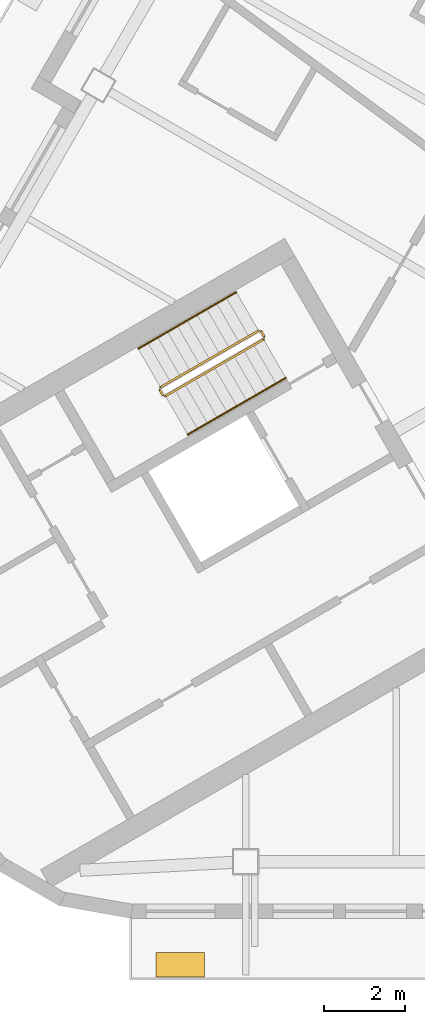
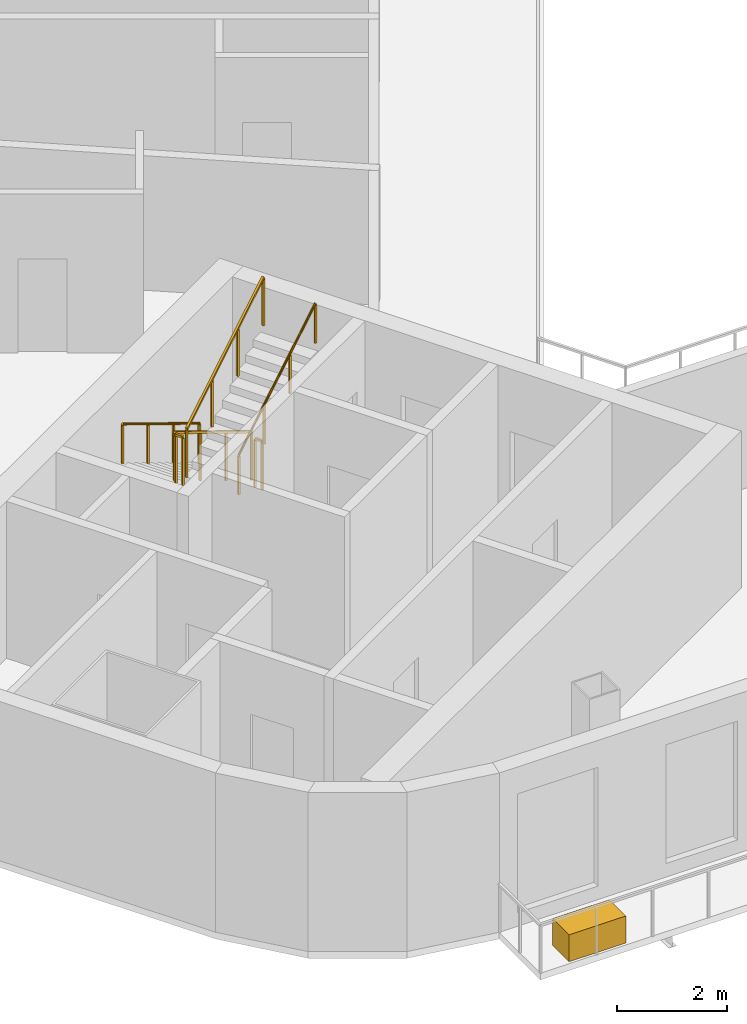
# One storey, part 9 of 13: 6 railings, 1 covering.
"""IFC4 building model written with IfcOpenShell, lengths in metres."""

from ifc_helpers import new_model, si_unit, direction, frame, origin, origin_2d, place, context, subcontext, project, spatial, rectangle, circle, extrude, material, type_object, element, save


model = new_model("IFC4")

# Units and contexts
model_context = context("Model", 3, precision=1e-05, world=origin(), true_north=direction((0.0, 1.0)))
body_context = subcontext(model_context, "Body", "Model", "MODEL_VIEW")
ifc_project = project(units=[si_unit("LENGTHUNIT", "METRE"), si_unit("AREAUNIT", "SQUARE_METRE"), si_unit("VOLUMEUNIT", "CUBIC_METRE"), si_unit("PLANEANGLEUNIT", "RADIAN"), si_unit("MASSUNIT", "GRAM", prefix="KILO")], contexts=[model_context])

# Site, building, storey
site_placement = place(None, origin())
site = spatial("IfcSite", under=ifc_project, at=site_placement, CompositionType="ELEMENT")
building_placement = place(site_placement, origin())
building = spatial("IfcBuilding", under=site, at=building_placement, Name="Apuvela Tower Hotel", CompositionType="ELEMENT")
storey_placement = place(building_placement, frame((0.0, 0.0, 272.60009765625)))
storey = spatial("IfcBuildingStorey", under=building, at=storey_placement, Name="L67", CompositionType="ELEMENT", Elevation=272.60009765625)

# Railings
ifc_material_1 = material(Name="Steel S275 balustrade", Category="steel")
railing_type_1 = type_object("IfcRailingType", Name="COR-GUARD-1100", PredefinedType="GUARDRAIL", material=ifc_material_1)
railing_1_placement = place(storey_placement, frame((-14.569091796875, -3.9658203125, 0.16796875)))
element("IfcRailing", 1, at=railing_1_placement, inside=storey, type_object=railing_type_1, Name="L67 ST2 stair guard 1", PredefinedType="GUARDRAIL", context=body_context, shape_type="SweptSolid", body=[
    extrude(rectangle(XDim=0.048095703125, YDim=0.048095703125, at=origin_2d()), frame((0.0, 0.0, 1.076171875), z_axis=(-0.742390482028, -0.42860119049, 0.514934356695), x_axis=(0.49998411664, -0.866034573852, 0.0)), (0.0, 0.0, 1.0), 3.26611328125),
    extrude(rectangle(XDim=0.0419921875, YDim=0.0419921875, at=origin_2d()), origin(), (0.0, 0.0, 1.0), 1.052001953125),
    extrude(rectangle(XDim=0.0419921875, YDim=0.0419921875, at=origin_2d()), frame((-0.808349609375, -0.466552734375, 0.560546875)), (0.0, 0.0, 1.0), 1.052001953125),
    extrude(rectangle(XDim=0.0419921875, YDim=0.0419921875, at=origin_2d()), frame((-1.616455078125, -0.933349609375, 1.121337890625)), (0.0, 0.0, 1.0), 1.052001953125),
    extrude(rectangle(XDim=0.0419921875, YDim=0.0419921875, at=origin_2d()), frame((-2.4248046875, -1.39990234375, 1.681884765625)), (0.0, 0.0, 1.0), 1.052001953125),
])
railing_2_placement = place(storey_placement, frame((-17.01220703125, -5.43408203125, 1.849853515625)))
element("IfcRailing", 2, at=railing_2_placement, inside=storey, type_object=railing_type_1, Name="L67 ST2 stair guard 2", PredefinedType="GUARDRAIL", context=body_context, shape_type="SweptSolid", body=[
    extrude(rectangle(XDim=0.048095703125, YDim=0.048095703125, at=origin_2d()), frame((0.0, 0.0, 1.076171875), z_axis=(0.499816412211, -0.866131372301, 0.0), x_axis=(0.866131372301, 0.499816412211, 0.0)), (0.0, 0.0, 1.0), 0.14990234375),
    extrude(rectangle(XDim=0.0419921875, YDim=0.0419921875, at=origin_2d()), origin(), (0.0, 0.0, 1.0), 1.052001953125),
    extrude(rectangle(XDim=0.0419921875, YDim=0.0419921875, at=origin_2d()), frame((0.074951171875, -0.1298828125, 0.0)), (0.0, 0.0, 1.0), 1.052001953125),
])
railing_3_placement = place(storey_placement, frame((-16.868896484375, -5.582275390625, 2.01806640625)))
element("IfcRailing", 3, at=railing_3_placement, inside=storey, type_object=railing_type_1, Name="L67 ST2 stair guard 3", PredefinedType="GUARDRAIL", context=body_context, shape_type="SweptSolid", body=[
    extrude(rectangle(XDim=0.048095703125, YDim=0.048095703125, at=origin_2d()), frame((0.0, 0.0, 1.076171875), z_axis=(0.742390482028, 0.42860119049, 0.514934356695), x_axis=(-0.49998411664, 0.866034573852, 0.0)), (0.0, 0.0, 1.0), 3.26611328125),
    extrude(rectangle(XDim=0.0419921875, YDim=0.0419921875, at=origin_2d()), origin(), (0.0, 0.0, 1.0), 1.052001953125),
    extrude(rectangle(XDim=0.0419921875, YDim=0.0419921875, at=origin_2d()), frame((0.808349609375, 0.466552734375, 0.560546875)), (0.0, 0.0, 1.0), 1.052001953125),
    extrude(rectangle(XDim=0.0419921875, YDim=0.0419921875, at=origin_2d()), frame((1.616455078125, 0.933349609375, 1.121337890625)), (0.0, 0.0, 1.0), 1.052001953125),
    extrude(rectangle(XDim=0.0419921875, YDim=0.0419921875, at=origin_2d()), frame((2.4248046875, 1.39990234375, 1.681884765625)), (0.0, 0.0, 1.0), 1.052001953125),
])
railing_4_placement = place(storey_placement, frame((-14.500732421875, -3.984130859375, 0.0)))
element("IfcRailing", 4, at=railing_4_placement, inside=storey, type_object=railing_type_1, Name="L67 ST2 stair guard 4", PredefinedType="GUARDRAIL", context=body_context, shape_type="SweptSolid", body=[
    extrude(rectangle(XDim=0.048095703125, YDim=0.048095703125, at=origin_2d()), frame((0.0, 0.0, 1.076171875), z_axis=(0.499816412211, -0.866131372301, 0.0), x_axis=(0.866131372301, 0.499816412211, 0.0)), (0.0, 0.0, 1.0), 0.14990234375),
    extrude(rectangle(XDim=0.0419921875, YDim=0.0419921875, at=origin_2d()), origin(), (0.0, 0.0, 1.0), 1.052001953125),
    extrude(rectangle(XDim=0.0419921875, YDim=0.0419921875, at=origin_2d()), frame((0.074951171875, -0.1298828125, 0.0)), (0.0, 0.0, 1.0), 1.052001953125),
])
ifc_material_2 = material(Name="Stainless steel 316 handrail", Category="steel")
railing_type_2 = type_object("IfcRailingType", Name="COR-HANDRAIL-900", PredefinedType="HANDRAIL", material=ifc_material_2)
railing_5_placement = place(storey_placement, frame((-15.118896484375, -3.01318359375, 0.16796875)))
element("IfcRailing", 5, at=railing_5_placement, inside=storey, type_object=railing_type_2, Name="L67 ST2 stair handrail 1", PredefinedType="HANDRAIL", context=body_context, shape_type="SweptSolid", body=[
    extrude(circle(Radius=0.02392578125, at=origin_2d()), frame((0.0, 0.0, 0.8759765625), z_axis=(-0.742424030051, -0.428577407461, 0.514905783049), x_axis=(0.49994636267, -0.866056369097, 0.0)), (0.0, 0.0, 1.0), 3.266357421875),
    extrude(rectangle(XDim=0.0419921875, YDim=0.0419921875, at=origin_2d()), origin(), (0.0, 0.0, 1.0), 0.851806640625),
    extrude(rectangle(XDim=0.0419921875, YDim=0.0419921875, at=origin_2d()), frame((-0.808349609375, -0.466552734375, 0.560546875)), (0.0, 0.0, 1.0), 0.851806640625),
    extrude(rectangle(XDim=0.0419921875, YDim=0.0419921875, at=origin_2d()), frame((-1.61669921875, -0.933349609375, 1.121337890625)), (0.0, 0.0, 1.0), 0.851806640625),
    extrude(rectangle(XDim=0.0419921875, YDim=0.0419921875, at=origin_2d()), frame((-2.425048828125, -1.39990234375, 1.681884765625)), (0.0, 0.0, 1.0), 0.851806640625),
])
railing_6_placement = place(storey_placement, frame((-16.31884765625, -6.534912109375, 2.01806640625)))
element("IfcRailing", 6, at=railing_6_placement, inside=storey, type_object=railing_type_2, Name="L67 ST2 stair handrail 2", PredefinedType="HANDRAIL", context=body_context, shape_type="SweptSolid", body=[
    extrude(circle(Radius=0.02392578125, at=origin_2d()), frame((0.0, 0.0, 0.8759765625), z_axis=(0.742390482028, 0.42860119049, 0.514934356695), x_axis=(-0.49998411664, 0.866034573852, 0.0)), (0.0, 0.0, 1.0), 3.26611328125),
    extrude(rectangle(XDim=0.0419921875, YDim=0.0419921875, at=origin_2d()), origin(), (0.0, 0.0, 1.0), 0.851806640625),
    extrude(rectangle(XDim=0.0419921875, YDim=0.0419921875, at=origin_2d()), frame((0.808349609375, 0.466552734375, 0.560546875)), (0.0, 0.0, 1.0), 0.851806640625),
    extrude(rectangle(XDim=0.0419921875, YDim=0.0419921875, at=origin_2d()), frame((1.616455078125, 0.933349609375, 1.121337890625)), (0.0, 0.0, 1.0), 0.851806640625),
    extrude(rectangle(XDim=0.0419921875, YDim=0.0419921875, at=origin_2d()), frame((2.4248046875, 1.39990234375, 1.681884765625)), (0.0, 0.0, 1.0), 0.851806640625),
])

# Covering
ifc_material_3 = material(Name="Planting substrate and soil, planted")
covering_type = type_object("IfcCoveringType", Name="ENV-PLANTER-1200x600", PredefinedType="USERDEFINED", material=ifc_material_3)
covering_placement = place(storey_placement, frame((-16.498291015625, -19.645751953125, -0.000244140625), z_axis=(0.0, 0.0, 1.0), x_axis=(1.0, 0.0, 0.0)))
element("IfcCovering", 7, at=covering_placement, inside=storey, type_object=covering_type, Name="Planter S1", ObjectType="PLANTER", PredefinedType="USERDEFINED", context=body_context, shape_type="SweptSolid", body=[
    extrude(rectangle(XDim=1.199951171875, YDim=0.60009765625, at=origin_2d()), origin(), (0.0, 0.0, 1.0), 0.60009765625),
])

save(model, "model.ifc")
